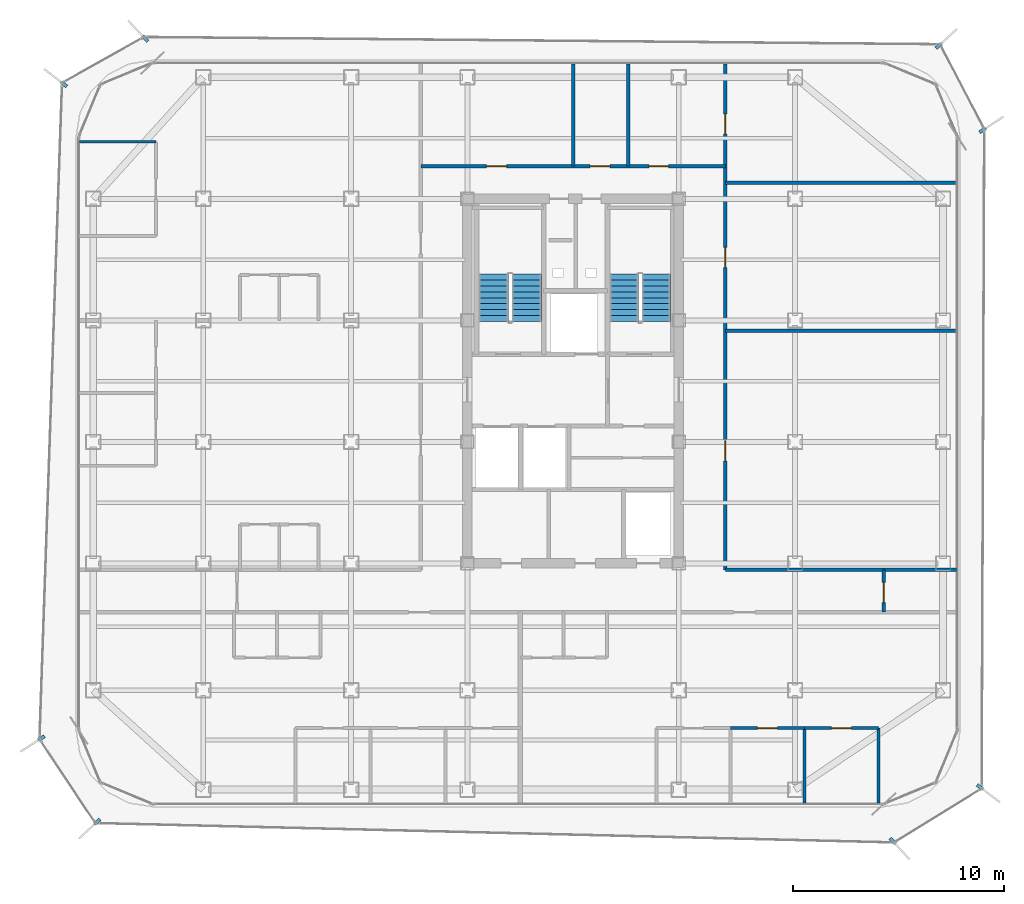
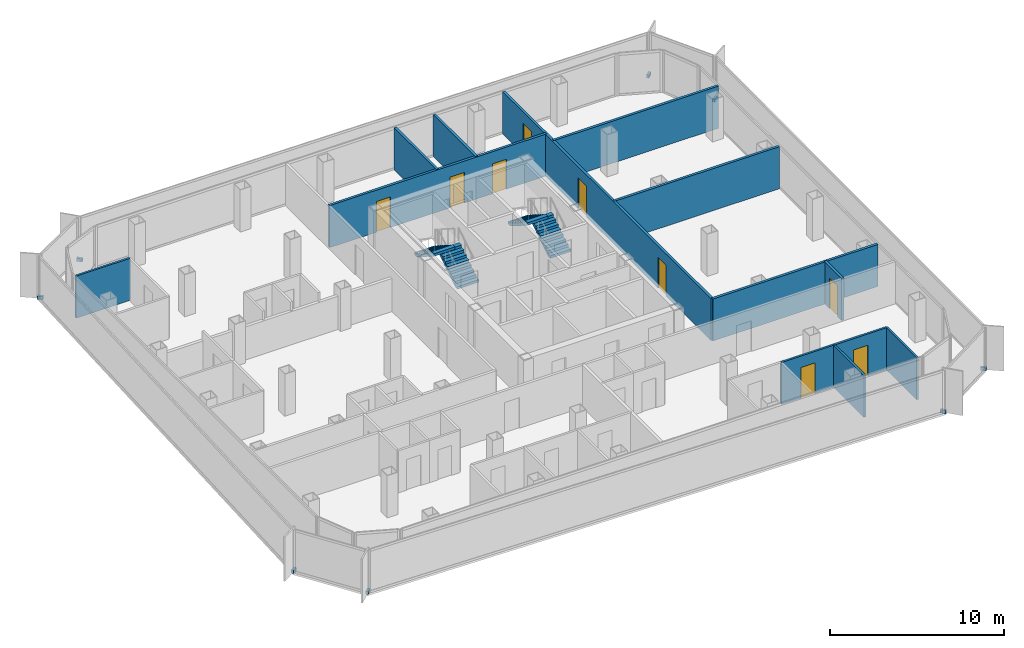
# One storey, part 12 of 15: 14 walls, 9 doors, 8 discrete accessories, 4 stair flights, 9 openings, 2 elements without a shape of their own.
"""IFC4 building model written with IfcOpenShell, lengths in metres."""

import ifcopenshell
import ifcopenshell.guid

model = None  # the IFC model being written
_history = None  # IfcOwnerHistory: only IFC2X3 demands one
_inside = {}  # id of a spatial element -> (the spatial element, [elements in it])
_under = {}  # id of a project, library or spatial element -> (it, [spatial elements below it])
_declared = {}  # id of a project -> (the project, [libraries it declares])
_typed = {}  # id of a type object -> (the type object, [elements of that type])
_made_of = {}  # id of a material, layer set ... -> (it, [elements and type objects made of it])


def new_model(schema):
    """Start an empty IFC model of exactly this schema.

    Asked for "IFC4X3", IfcOpenShell would pick the latest addendum, in which some entities
    have other attributes; the version numbers below select the first issue.
    IFC2X3 requires an IfcOwnerHistory on every rooted entity: one is made here for all.
    """
    global model, _history
    if schema == "IFC4X3":
        model = ifcopenshell.file(schema_version=(4, 3, 0, 0))
    else:
        model = ifcopenshell.file(schema=schema)
    _inside.clear()
    _under.clear()
    _declared.clear()
    _typed.clear()
    _made_of.clear()
    _history = None
    if model.schema == "IFC2X3":
        org = make("IfcOrganization", Name="unknown")
        user = make(
            "IfcPersonAndOrganization",
            ThePerson=make("IfcPerson", FamilyName="unknown"),
            TheOrganization=org,
        )
        app = make(
            "IfcApplication",
            ApplicationDeveloper=org,
            Version="unknown",
            ApplicationFullName="unknown",
            ApplicationIdentifier="unknown",
        )
        _history = make(
            "IfcOwnerHistory",
            OwningUser=user,
            OwningApplication=app,
            ChangeAction="ADDED",
            CreationDate=0,
        )
    return model


def make(cls, **values):
    """One entity of the class cls with the attributes given. An attribute that is None is left unset."""
    return model.create_entity(
        cls, **{name: value for name, value in values.items() if value is not None}
    )


def rooted(cls, **values):
    """An entity with a GlobalId (a new one), such as an element, a storey or a relation."""
    return make(cls, GlobalId=ifcopenshell.guid.new(), OwnerHistory=_history, **values)


def si_unit(unit_type, name, prefix=None):
    """IfcSIUnit, for example si_unit("LENGTHUNIT", "METRE", prefix="MILLI")."""
    return make("IfcSIUnit", UnitType=unit_type, Prefix=prefix, Name=name)


def assignment(units):
    """IfcUnitAssignment: the units of a project."""
    return None if units is None else make("IfcUnitAssignment", Units=units)


def point(xyz):
    """IfcCartesianPoint."""
    return None if xyz is None else make("IfcCartesianPoint", Coordinates=xyz)


def direction(xyz):
    """IfcDirection."""
    return None if xyz is None else make("IfcDirection", DirectionRatios=xyz)


def frame(location, z_axis=None, x_axis=None):
    """IfcAxis2Placement3D, a coordinate frame: its origin and axes. An axis left out is left unset."""
    return make(
        "IfcAxis2Placement3D",
        Location=point(location),
        Axis=direction(z_axis),
        RefDirection=direction(x_axis),
    )


def frame_2d(location, x_axis=None):
    """IfcAxis2Placement2D, a coordinate frame in the plane: its origin and x axis."""
    return make(
        "IfcAxis2Placement2D", Location=point(location), RefDirection=direction(x_axis)
    )


def origin():
    """The frame at (0, 0, 0) with its axes left unset."""
    return frame((0.0, 0.0, 0.0))


def origin_2d():
    """The frame at (0, 0) in the plane with its x axis left unset."""
    return frame_2d((0.0, 0.0))


def place(relative_to, where):
    """IfcLocalPlacement: puts the frame where relative to a parent placement (None: the world)."""
    return make(
        "IfcLocalPlacement", PlacementRelTo=relative_to, RelativePlacement=where
    )


def context(
    kind, dimensions, precision=None, world=None, true_north=None, identifier=None
):
    """IfcGeometricRepresentationContext, for example the 3D "Model" context."""
    return make(
        "IfcGeometricRepresentationContext",
        ContextIdentifier=identifier,
        ContextType=kind,
        CoordinateSpaceDimension=dimensions,
        Precision=precision,
        WorldCoordinateSystem=world,
        TrueNorth=true_north,
    )


def subcontext(parent, identifier, kind, view, scale=None):
    """IfcGeometricRepresentationSubContext, for example "Body" below "Model"."""
    return make(
        "IfcGeometricRepresentationSubContext",
        ContextIdentifier=identifier,
        ContextType=kind,
        ParentContext=parent,
        TargetScale=scale,
        TargetView=view,
    )


def project(units=None, contexts=None):
    """IfcProject with its units and contexts."""
    return rooted(
        "IfcProject",
        Name="project",
        RepresentationContexts=contexts,
        UnitsInContext=assignment(units),
    )


def spatial(cls, under=None, at=None, **own):
    """A site, building, storey or space (cls), placed at a placement, below another one or the project."""
    s = rooted(cls, ObjectPlacement=at, **own)
    if under is not None:
        _under.setdefault(under.id(), (under, []))[1].append(s)
    return s


def polyline(points):
    """IfcPolyline through the points."""
    return make("IfcPolyline", Points=[point(p) for p in points])


def profile(cls, at=None, kind="AREA", **sizes):
    """A parametric profile (cls). Its sizes go by their IFC names, for example OverallWidth=200.0."""
    return make(cls, ProfileType=kind, Position=at, **sizes)


def rectangle(**sizes):
    """IfcRectangleProfileDef."""
    return profile("IfcRectangleProfileDef", **sizes)


def outline(outer, holes=None, kind="AREA"):
    """IfcArbitraryClosedProfileDef: a profile drawn as a closed curve; with holes, ...WithVoids."""
    if holes is None:
        return make("IfcArbitraryClosedProfileDef", ProfileType=kind, OuterCurve=outer)
    return make(
        "IfcArbitraryProfileDefWithVoids",
        ProfileType=kind,
        OuterCurve=outer,
        InnerCurves=holes,
    )


def extrude(swept, where, along, depth):
    """IfcExtrudedAreaSolid: the profile swept, set in the frame where, extruded along a direction by depth."""
    return make(
        "IfcExtrudedAreaSolid",
        SweptArea=swept,
        Position=where,
        ExtrudedDirection=direction(along),
        Depth=depth,
    )


def shape(context_of_items, identifier, shape_type, items):
    """IfcShapeRepresentation: the items that make up one representation, for example the "Body"."""
    return make(
        "IfcShapeRepresentation",
        ContextOfItems=context_of_items,
        RepresentationIdentifier=identifier,
        RepresentationType=shape_type,
        Items=items,
    )


def source(mapping_origin, context_of_items, identifier, shape_type, items):
    """IfcRepresentationMap: a shape defined once, which mapped items show again and again."""
    return make(
        "IfcRepresentationMap",
        MappingOrigin=mapping_origin,
        MappedRepresentation=shape(context_of_items, identifier, shape_type, items),
    )


def transform(
    local_origin,
    x_axis=None,
    y_axis=None,
    z_axis=None,
    scale=None,
    scale2=None,
    scale3=None,
    uniform=True,
):
    """IfcCartesianTransformationOperator3D, or its non-uniform kind. x_axis, y_axis, z_axis: its Axis1, 2, 3."""
    if uniform:
        return make(
            "IfcCartesianTransformationOperator3D",
            Axis1=direction(x_axis),
            Axis2=direction(y_axis),
            LocalOrigin=point(local_origin),
            Scale=scale,
            Axis3=direction(z_axis),
        )
    return make(
        "IfcCartesianTransformationOperator3DnonUniform",
        Axis1=direction(x_axis),
        Axis2=direction(y_axis),
        LocalOrigin=point(local_origin),
        Scale=scale,
        Axis3=direction(z_axis),
        Scale2=scale2,
        Scale3=scale3,
    )


def mapped(mapping_source, mapping_target):
    """IfcMappedItem: shows the shape of a source again, moved by a transform."""
    return make(
        "IfcMappedItem", MappingSource=mapping_source, MappingTarget=mapping_target
    )


def material(Name=None, Category=None):
    """IfcMaterial."""
    return make("IfcMaterial", Name=Name, Category=Category)


def layer(
    of_material, thickness, ventilated=None, Name=None, Category=None, Priority=None
):
    """IfcMaterialLayer: one layer of a wall or slab, of a material (None: an air gap)."""
    return make(
        "IfcMaterialLayer",
        Material=of_material,
        LayerThickness=thickness,
        IsVentilated=ventilated,
        Name=Name,
        Category=Category,
        Priority=Priority,
    )


def layer_set(layers, Name=None):
    """IfcMaterialLayerSet."""
    return make("IfcMaterialLayerSet", MaterialLayers=layers, LayerSetName=Name)


def made_of(thing, what):
    """Note that an element or type object is made of a material, layer set ...; save() writes the relation."""
    if what is not None:
        _made_of.setdefault(what.id(), (what, []))[1].append(thing)
    return thing


def type_object(cls, material=None, **own):
    """A type object (cls), such as IfcWallType, which elements share."""
    return made_of(rooted(cls, **own), material)


def element(
    cls,
    number,
    at=None,
    inside=None,
    cuts=None,
    type_object=None,
    material=None,
    context=None,
    identifier="Body",
    shape_type=None,
    held_by="IfcProductDefinitionShape",
    body=None,
    shapes=None,
    **own,
):
    """One element of the class cls, such as IfcWall. Its Tag is "e" and its number.

    at: its placement. inside: the storey or other place that contains it. cuts: it is an
    opening in that element (IfcRelVoidsElement). A single representation is given by context,
    identifier, shape_type and body (its items); several are given by shapes. held_by: the class
    of the entity that holds the representations. save() writes the other relations.
    """
    e = rooted(cls, Tag="e%d" % number, ObjectPlacement=at, **own)
    if body is not None:
        shapes = [shape(context, identifier, shape_type, body)]
    if shapes is not None:
        e.Representation = make(held_by, Representations=shapes)
    if inside is not None:
        _inside.setdefault(inside.id(), (inside, []))[1].append(e)
    if cuts is not None:
        rooted(
            "IfcRelVoidsElement", RelatingBuildingElement=cuts, RelatedOpeningElement=e
        )
    if type_object is not None:
        _typed.setdefault(type_object.id(), (type_object, []))[1].append(e)
    return made_of(e, material)


def fill(opening, filler):
    """IfcRelFillsElement: the door or window that sits in an opening."""
    return rooted(
        "IfcRelFillsElement",
        RelatingOpeningElement=opening,
        RelatedBuildingElement=filler,
    )


def aggregate(whole, parts):
    """IfcRelAggregates: a whole, such as a stair, and the parts it consists of."""
    return rooted("IfcRelAggregates", RelatingObject=whole, RelatedObjects=parts)


def save(model, path):
    """Write the relations noted so far, then the file.

    IfcRelAggregates (storeys below a building ...), IfcRelContainedInSpatialStructure (elements
    in a storey), IfcRelDefinesByType, IfcRelAssociatesMaterial and IfcRelDeclares: one each for
    every whole, place, type object, material and project.
    """
    for whole, parts in _under.values():
        aggregate(whole, parts)
    for where, things in _inside.values():
        rooted(
            "IfcRelContainedInSpatialStructure",
            RelatedElements=things,
            RelatingStructure=where,
        )
    for kind, things in _typed.values():
        rooted("IfcRelDefinesByType", RelatedObjects=things, RelatingType=kind)
    for what, things in _made_of.values():
        rooted("IfcRelAssociatesMaterial", RelatedObjects=things, RelatingMaterial=what)
    for by, libraries in _declared.values():
        rooted("IfcRelDeclares", RelatingContext=by, RelatedDefinitions=libraries)
    model.write(path)


model = new_model("IFC4")

# Units and contexts
model_context = context("Model", 3, precision=1e-05, world=origin(), true_north=direction((0.0, 1.0)))
body_context = subcontext(model_context, "Body", "Model", "MODEL_VIEW")
ifc_project = project(units=[si_unit("LENGTHUNIT", "METRE"), si_unit("AREAUNIT", "SQUARE_METRE"), si_unit("VOLUMEUNIT", "CUBIC_METRE"), si_unit("PLANEANGLEUNIT", "RADIAN"), si_unit("MASSUNIT", "GRAM", prefix="KILO")], contexts=[model_context])

# Site, building, storey
site_placement = place(None, origin())
site = spatial("IfcSite", under=ifc_project, at=site_placement, CompositionType="ELEMENT")
building_placement = place(site_placement, origin())
building = spatial("IfcBuilding", under=site, at=building_placement, Name="Kolveth Station Tower", CompositionType="ELEMENT")
storey_placement = place(building_placement, frame((0.0, 0.0, 181.699951171875)))
storey = spatial("IfcBuildingStorey", under=building, at=storey_placement, Name="L51", CompositionType="ELEMENT", Elevation=181.699951171875)

# Wall
ifc_material_1 = material(Name="Moisture-resistant gypsum partition")
ifc_layer_1 = layer(ifc_material_1, 0.135009765625)
ifc_layer_set_1 = layer_set([ifc_layer_1], Name="Moisture-resistant gypsum partition")
wall_type_1 = type_object("IfcWallType", Name="Wall_IW-135", PredefinedType="PARTITIONING", material=ifc_layer_set_1)
wall_1_placement = place(storey_placement, frame((37.949951171875, 0.159912109375, 0.0), z_axis=(0.0, 0.0, 1.0), x_axis=(0.0, 1.0, 0.0)))
element("IfcWall", 1, at=wall_1_placement, inside=storey, type_object=wall_type_1, Name="L51 Partition Wall WL-L51-A2-BDVE", PredefinedType="PARTITIONING", context=body_context, shape_type="SweptSolid", body=[
    extrude(rectangle(XDim=3.550048828125, YDim=0.135009765625, at=frame_2d((1.77490234375, 0.0))), origin(), (0.0, 0.0, 1.0), 2.949951171875),
])

# Wall, opening, door
wall_2_placement = place(storey_placement, frame((30.944091796875, 3.7099609375, 0.0), z_axis=(0.0, 0.0, 1.0), x_axis=(1.0, 0.0, 0.0)))
wall_2 = element("IfcWall", 2, at=wall_2_placement, inside=storey, type_object=wall_type_1, Name="L51 Partition Wall WL-L51-A2-BDH2", PredefinedType="PARTITIONING", context=body_context, shape_type="SweptSolid", body=[
    extrude(rectangle(XDim=3.5029296875, YDim=0.135009765625, at=frame_2d((1.75146484375, 0.0))), origin(), (0.0, 0.0, 1.0), 2.949951171875),
])
opening_1_placement = place(wall_2_placement, frame((1.27099609375, 0.0, 0.0)))
opening_1 = element("IfcOpeningElement", 3, at=opening_1_placement, cuts=wall_2, Name="Opening ID1", PredefinedType="OPENING", context=body_context, shape_type="SweptSolid", body=[
    extrude(rectangle(XDim=0.949951171875, YDim=2.14990234375, at=frame_2d((0.47509765625, 1.074951171875))), frame((0.0, 0.077392578125, 0.0), z_axis=(0.0, -1.0, 0.0), x_axis=(1.0, 0.0, 0.0)), (0.0, 0.0, 1.0), 0.155029296875),
])
ifc_material_2 = material(Name="Acoustic hardwood leaf and aluminium frame", Category="wood")
door_type_1 = type_object("IfcDoorType", Name="Door_ID1", OperationType="NOTDEFINED", PredefinedType="DOOR", material=ifc_material_2)
door_1_placement = place(opening_1_placement, frame((0.949951171875, 0.0, 0.0), z_axis=(0.0, 0.0, 1.0), x_axis=(-1.0, 0.0, 0.0)))
door_1 = element("IfcDoor", 4, at=door_1_placement, inside=storey, type_object=door_type_1, Name="Penthouse Flat L51-A2 Bedroom 2 Door", OperationType="SINGLE_SWING_LEFT", OverallHeight=2.14990234375, OverallWidth=0.949951171875, PredefinedType="DOOR", context=body_context, shape_type="SweptSolid", body=[
    extrude(rectangle(XDim=0.949951171875, YDim=2.14990234375, at=frame_2d((0.47509765625, 1.074951171875))), frame((0.0, 0.02490234375, 0.0), z_axis=(0.0, -1.0, 0.0), x_axis=(1.0, 0.0, 0.0)), (0.0, 0.0, 1.0), 0.050048828125),
])
fill(opening_1, door_1)

wall_3_placement = place(storey_placement, frame((34.447021484375, 3.7099609375, 0.0), z_axis=(0.0, 0.0, 1.0), x_axis=(1.0, 0.0, 0.0)))
wall_3 = element("IfcWall", 5, at=wall_3_placement, inside=storey, type_object=wall_type_1, Name="L51 Partition Wall WL-L51-A2-BDH3", PredefinedType="PARTITIONING", context=body_context, shape_type="SweptSolid", body=[
    extrude(rectangle(XDim=3.5029296875, YDim=0.135009765625, at=frame_2d((1.75146484375, 0.0))), origin(), (0.0, 0.0, 1.0), 2.949951171875),
])
opening_2_placement = place(wall_3_placement, frame((1.27099609375, 0.0, 0.0)))
opening_2 = element("IfcOpeningElement", 6, at=opening_2_placement, cuts=wall_3, Name="Opening ID1", PredefinedType="OPENING", context=body_context, shape_type="SweptSolid", body=[
    extrude(rectangle(XDim=0.949951171875, YDim=2.14990234375, at=frame_2d((0.47509765625, 1.074951171875))), frame((0.0, 0.077392578125, 0.0), z_axis=(0.0, -1.0, 0.0), x_axis=(1.0, 0.0, 0.0)), (0.0, 0.0, 1.0), 0.155029296875),
])
door_2_placement = place(opening_2_placement, frame((0.949951171875, 0.0, 0.0), z_axis=(0.0, 0.0, 1.0), x_axis=(-1.0, 0.0, 0.0)))
door_2 = element("IfcDoor", 7, at=door_2_placement, inside=storey, type_object=door_type_1, Name="Penthouse Flat L51-A2 Bedroom 3 Door", OperationType="SINGLE_SWING_RIGHT", OverallHeight=2.14990234375, OverallWidth=0.949951171875, PredefinedType="DOOR", context=body_context, shape_type="SweptSolid", body=[
    extrude(rectangle(XDim=0.949951171875, YDim=2.14990234375, at=frame_2d((0.47509765625, 1.074951171875))), frame((0.0, 0.02490234375, 0.0), z_axis=(0.0, -1.0, 0.0), x_axis=(1.0, 0.0, 0.0)), (0.0, 0.0, 1.0), 0.050048828125),
])
fill(opening_2, door_2)

# Walls
wall_4_placement = place(storey_placement, frame((34.447021484375, 0.159912109375, 0.0), z_axis=(0.0, 0.0, 1.0), x_axis=(0.0, 1.0, 0.0)))
element("IfcWall", 8, at=wall_4_placement, inside=storey, type_object=wall_type_1, Name="L51 Partition Wall WL-L51-A2-BDV2", PredefinedType="PARTITIONING", context=body_context, shape_type="SweptSolid", body=[
    extrude(rectangle(XDim=3.550048828125, YDim=0.135009765625, at=frame_2d((1.77490234375, 0.0))), origin(), (0.0, 0.0, 1.0), 2.949951171875),
])
wall_5_placement = place(storey_placement, frame((0.159912109375, 31.449951171875, 0.0), z_axis=(0.0, 0.0, 1.0), x_axis=(1.0, 0.0, 0.0)))
element("IfcWall", 9, at=wall_5_placement, inside=storey, type_object=wall_type_1, Name="L51 Partition Wall WL-L51-W2-BDHE", PredefinedType="PARTITIONING", context=body_context, shape_type="SweptSolid", body=[
    extrude(rectangle(XDim=3.60009765625, YDim=0.135009765625, at=frame_2d((1.800048828125, 0.0))), origin(), (0.0, 0.0, 1.0), 2.949951171875),
])
ifc_material_3 = material(Name="Acoustic double-stud gypsum partition")
ifc_layer_2 = layer(ifc_material_3, 0.1650390625)
ifc_layer_set_2 = layer_set([ifc_layer_2], Name="Acoustic double-stud gypsum partition")
wall_type_2 = type_object("IfcWallType", Name="Wall_IW-165", PredefinedType="PARTITIONING", material=ifc_layer_set_2)
wall_6_placement = place(storey_placement, frame((30.699951171875, 11.199951171875, 0.0), z_axis=(0.0, 0.0, 1.0), x_axis=(1.0, 0.0, 0.0)))
element("IfcWall", 10, at=wall_6_placement, inside=storey, type_object=wall_type_2, Name="L51 Partition Wall WL-L51-RSET", PredefinedType="PARTITIONING", context=body_context, shape_type="SweptSolid", body=[
    extrude(rectangle(XDim=7.5, YDim=0.1650390625, at=frame_2d((3.75, 0.0))), origin(), (0.0, 0.0, 1.0), 2.949951171875),
])

# Wall, opening, door
wall_7_placement = place(storey_placement, frame((38.199951171875, 9.199951171875, 0.0), z_axis=(0.0, 0.0, 1.0), x_axis=(0.0, 1.0, 0.0)))
wall_7 = element("IfcWall", 11, at=wall_7_placement, inside=storey, type_object=wall_type_2, Name="L51 Partition Wall WL-L51-RSEE", PredefinedType="PARTITIONING", context=body_context, shape_type="SweptSolid", body=[
    extrude(rectangle(XDim=2.0, YDim=0.1650390625, at=frame_2d((1.0, 0.0))), origin(), (0.0, 0.0, 1.0), 2.949951171875),
])
opening_3_placement = place(wall_7_placement, frame((0.449951171875, 0.0, 0.0)))
opening_3 = element("IfcOpeningElement", 12, at=opening_3_placement, cuts=wall_7, Name="Opening ID1", PredefinedType="OPENING", context=body_context, shape_type="SweptSolid", body=[
    extrude(rectangle(XDim=0.949951171875, YDim=2.14990234375, at=frame_2d((0.47509765625, 1.074951171875))), frame((0.0, 0.092529296875, 0.0), z_axis=(0.0, -1.0, 0.0), x_axis=(1.0, 0.0, 0.0)), (0.0, 0.0, 1.0), 0.18505859375),
])
door_3_placement = place(opening_3_placement, origin())
door_3 = element("IfcDoor", 13, at=door_3_placement, inside=storey, type_object=door_type_1, Name="L51 Hobby Study Door", OperationType="SINGLE_SWING_LEFT", OverallHeight=2.14990234375, OverallWidth=0.949951171875, PredefinedType="DOOR", context=body_context, shape_type="SweptSolid", body=[
    extrude(rectangle(XDim=0.949951171875, YDim=2.14990234375, at=frame_2d((0.47509765625, 1.074951171875))), frame((0.0, 0.02490234375, 0.0), z_axis=(0.0, -1.0, 0.0), x_axis=(1.0, 0.0, 0.0)), (0.0, 0.0, 1.0), 0.050048828125),
])
fill(opening_3, door_3)

# Wall, openings, doors
wall_8_placement = place(storey_placement, frame((16.300048828125, 30.300048828125, 0.0), z_axis=(0.0, 0.0, 1.0), x_axis=(1.0, 0.0, 0.0)))
wall_8 = element("IfcWall", 14, at=wall_8_placement, inside=storey, type_object=wall_type_2, Name="L51 Partition Wall WL-L51-RN", PredefinedType="PARTITIONING", context=body_context, shape_type="SweptSolid", body=[
    extrude(rectangle(XDim=14.39990234375, YDim=0.1650390625, at=frame_2d((7.199951171875, 0.0))), origin(), (0.0, 0.0, 1.0), 2.949951171875),
])
opening_4_placement = place(wall_8_placement, frame((3.10009765625, 0.0, 0.0)))
opening_4 = element("IfcOpeningElement", 15, at=opening_4_placement, cuts=wall_8, Name="Opening ID1", PredefinedType="OPENING", context=body_context, shape_type="SweptSolid", body=[
    extrude(rectangle(XDim=0.949951171875, YDim=2.14990234375, at=frame_2d((0.47509765625, 1.074951171875))), frame((0.0, 0.092529296875, 0.0), z_axis=(0.0, -1.0, 0.0), x_axis=(1.0, 0.0, 0.0)), (0.0, 0.0, 1.0), 0.18505859375),
])
opening_5_placement = place(wall_8_placement, frame((8.0, 0.0, 0.0)))
opening_5 = element("IfcOpeningElement", 16, at=opening_5_placement, cuts=wall_8, Name="Opening ID1", PredefinedType="OPENING", context=body_context, shape_type="SweptSolid", body=[
    extrude(rectangle(XDim=0.949951171875, YDim=2.14990234375, at=frame_2d((0.47509765625, 1.074951171875))), frame((0.0, 0.092529296875, 0.0), z_axis=(0.0, -1.0, 0.0), x_axis=(1.0, 0.0, 0.0)), (0.0, 0.0, 1.0), 0.18505859375),
])
opening_6_placement = place(wall_8_placement, frame((10.800048828125, 0.0, 0.0)))
opening_6 = element("IfcOpeningElement", 17, at=opening_6_placement, cuts=wall_8, Name="Opening ID2", PredefinedType="OPENING", context=body_context, shape_type="SweptSolid", body=[
    extrude(rectangle(XDim=0.919921875, YDim=2.10009765625, at=frame_2d((0.4599609375, 1.050048828125))), frame((0.0, 0.092529296875, 0.0), z_axis=(0.0, -1.0, 0.0), x_axis=(1.0, 0.0, 0.0)), (0.0, 0.0, 1.0), 0.18505859375),
])
door_4_placement = place(opening_4_placement, origin())
door_4 = element("IfcDoor", 18, at=door_4_placement, inside=storey, type_object=door_type_1, Name="L51 Residents' Sky Lounge Door", OperationType="SINGLE_SWING_RIGHT", OverallHeight=2.14990234375, OverallWidth=0.949951171875, PredefinedType="DOOR", context=body_context, shape_type="SweptSolid", body=[
    extrude(rectangle(XDim=0.949951171875, YDim=2.14990234375, at=frame_2d((0.47509765625, 1.074951171875))), frame((0.0, 0.02490234375, 0.0), z_axis=(0.0, -1.0, 0.0), x_axis=(1.0, 0.0, 0.0)), (0.0, 0.0, 1.0), 0.050048828125),
])
fill(opening_4, door_4)
door_5_placement = place(opening_5_placement, origin())
door_5 = element("IfcDoor", 19, at=door_5_placement, inside=storey, type_object=door_type_1, Name="L51 Residents' Committee Room Door", OperationType="SINGLE_SWING_LEFT", OverallHeight=2.14990234375, OverallWidth=0.949951171875, PredefinedType="DOOR", context=body_context, shape_type="SweptSolid", body=[
    extrude(rectangle(XDim=0.949951171875, YDim=2.14990234375, at=frame_2d((0.47509765625, 1.074951171875))), frame((0.0, 0.02490234375, 0.0), z_axis=(0.0, -1.0, 0.0), x_axis=(1.0, 0.0, 0.0)), (0.0, 0.0, 1.0), 0.050048828125),
])
fill(opening_5, door_5)
ifc_material_4 = material(Name="Moisture-resistant hardwood leaf", Category="wood")
door_type_2 = type_object("IfcDoorType", Name="Door_ID2", OperationType="NOTDEFINED", PredefinedType="DOOR", material=ifc_material_4)
door_6_placement = place(opening_6_placement, origin())
door_6 = element("IfcDoor", 20, at=door_6_placement, inside=storey, type_object=door_type_2, Name="L51 Accessible Residents' WC Door", OperationType="SINGLE_SWING_LEFT", OverallHeight=2.10009765625, OverallWidth=0.919921875, PredefinedType="DOOR", context=body_context, shape_type="SweptSolid", body=[
    extrude(rectangle(XDim=0.919921875, YDim=2.10009765625, at=frame_2d((0.4599609375, 1.050048828125))), frame((0.0, 0.02490234375, 0.0), z_axis=(0.0, -1.0, 0.0), x_axis=(1.0, 0.0, 0.0)), (0.0, 0.0, 1.0), 0.050048828125),
])
fill(opening_6, door_6)

wall_9_placement = place(storey_placement, frame((30.699951171875, 11.199951171875, 0.0), z_axis=(0.0, 0.0, 1.0), x_axis=(0.0, 1.0, 0.0)))
wall_9 = element("IfcWall", 21, at=wall_9_placement, inside=storey, type_object=wall_type_2, Name="L51 Partition Wall WL-L51-RE", PredefinedType="PARTITIONING", context=body_context, shape_type="SweptSolid", body=[
    extrude(rectangle(XDim=23.93994140625, YDim=0.1650390625, at=frame_2d((11.969970703125, 0.0))), origin(), (0.0, 0.0, 1.0), 2.949951171875),
])
opening_7_placement = place(wall_9_placement, frame((5.14990234375, 0.0, 0.0)))
opening_7 = element("IfcOpeningElement", 22, at=opening_7_placement, cuts=wall_9, Name="Opening ID1", PredefinedType="OPENING", context=body_context, shape_type="SweptSolid", body=[
    extrude(rectangle(XDim=0.949951171875, YDim=2.14990234375, at=frame_2d((0.47509765625, 1.074951171875))), frame((0.0, 0.092529296875, 0.0), z_axis=(0.0, -1.0, 0.0), x_axis=(1.0, 0.0, 0.0)), (0.0, 0.0, 1.0), 0.18505859375),
])
opening_8_placement = place(wall_9_placement, frame((14.300048828125, 0.0, 0.0)))
opening_8 = element("IfcOpeningElement", 23, at=opening_8_placement, cuts=wall_9, Name="Opening ID1", PredefinedType="OPENING", context=body_context, shape_type="SweptSolid", body=[
    extrude(rectangle(XDim=0.949951171875, YDim=2.14990234375, at=frame_2d((0.47509765625, 1.074951171875))), frame((0.0, 0.092529296875, 0.0), z_axis=(0.0, -1.0, 0.0), x_axis=(1.0, 0.0, 0.0)), (0.0, 0.0, 1.0), 0.18505859375),
])
opening_9_placement = place(wall_9_placement, frame((20.6201171875, 0.0, 0.0)))
opening_9 = element("IfcOpeningElement", 24, at=opening_9_placement, cuts=wall_9, Name="Opening ID1", PredefinedType="OPENING", context=body_context, shape_type="SweptSolid", body=[
    extrude(rectangle(XDim=0.949951171875, YDim=2.14990234375, at=frame_2d((0.47509765625, 1.074951171875))), frame((0.0, 0.092529296875, 0.0), z_axis=(0.0, -1.0, 0.0), x_axis=(1.0, 0.0, 0.0)), (0.0, 0.0, 1.0), 0.18505859375),
])
door_7_placement = place(opening_7_placement, origin())
door_7 = element("IfcDoor", 25, at=door_7_placement, inside=storey, type_object=door_type_1, Name="L51 Sky Dining Salon East Door", OperationType="SINGLE_SWING_LEFT", OverallHeight=2.14990234375, OverallWidth=0.949951171875, PredefinedType="DOOR", context=body_context, shape_type="SweptSolid", body=[
    extrude(rectangle(XDim=0.949951171875, YDim=2.14990234375, at=frame_2d((0.47509765625, 1.074951171875))), frame((0.0, 0.02490234375, 0.0), z_axis=(0.0, -1.0, 0.0), x_axis=(1.0, 0.0, 0.0)), (0.0, 0.0, 1.0), 0.050048828125),
])
fill(opening_7, door_7)
door_8_placement = place(opening_8_placement, origin())
door_8 = element("IfcDoor", 26, at=door_8_placement, inside=storey, type_object=door_type_1, Name="L51 Private Music Room Door", OperationType="SINGLE_SWING_RIGHT", OverallHeight=2.14990234375, OverallWidth=0.949951171875, PredefinedType="DOOR", context=body_context, shape_type="SweptSolid", body=[
    extrude(rectangle(XDim=0.949951171875, YDim=2.14990234375, at=frame_2d((0.47509765625, 1.074951171875))), frame((0.0, 0.02490234375, 0.0), z_axis=(0.0, -1.0, 0.0), x_axis=(1.0, 0.0, 0.0)), (0.0, 0.0, 1.0), 0.050048828125),
])
fill(opening_8, door_8)
door_9_placement = place(opening_9_placement, origin())
door_9 = element("IfcDoor", 27, at=door_9_placement, inside=storey, type_object=door_type_1, Name="L51 Catering Pantry Door", OperationType="SINGLE_SWING_LEFT", OverallHeight=2.14990234375, OverallWidth=0.949951171875, PredefinedType="DOOR", context=body_context, shape_type="SweptSolid", body=[
    extrude(rectangle(XDim=0.949951171875, YDim=2.14990234375, at=frame_2d((0.47509765625, 1.074951171875))), frame((0.0, 0.02490234375, 0.0), z_axis=(0.0, -1.0, 0.0), x_axis=(1.0, 0.0, 0.0)), (0.0, 0.0, 1.0), 0.050048828125),
])
fill(opening_9, door_9)

# Walls
wall_10_placement = place(storey_placement, frame((38.199951171875, 11.199951171875, 0.0), z_axis=(0.0, 0.0, 1.0), x_axis=(1.0, 0.0, 0.0)))
element("IfcWall", 28, at=wall_10_placement, inside=storey, type_object=wall_type_2, Name="L51 Partition Wall WL-L51-ESTN", PredefinedType="PARTITIONING", context=body_context, shape_type="SweptSolid", body=[
    extrude(rectangle(XDim=3.43994140625, YDim=0.1650390625, at=frame_2d((1.719970703125, 0.0))), origin(), (0.0, 0.0, 1.0), 2.949951171875),
])
for number, where, z_axis, x_axis, name in (
    (29, (30.699951171875, 22.5, 0.0), (0.0, 0.0, 1.0), (1.0, 0.0, 0.0), "L51 Partition Wall WL-L51-REA-P1"),
    (30, (30.699951171875, 29.5, 0.0), (0.0, 0.0, 1.0), (1.0, 0.0, 0.0), "L51 Partition Wall WL-L51-REA-P2"),
):
    element("IfcWall", number, at=place(storey_placement, frame(where, z_axis=z_axis, x_axis=x_axis)), inside=storey, type_object=wall_type_2, Name=name, PredefinedType="PARTITIONING", context=body_context, shape_type="SweptSolid", body=[
        extrude(rectangle(XDim=10.93994140625, YDim=0.1650390625, at=frame_2d((5.469970703125, 0.0))), origin(), (0.0, 0.0, 1.0), 2.949951171875),
    ])
for number, where, z_axis, x_axis, name in (
    (31, (23.5, 30.300048828125, 0.0), (0.0, 0.0, 1.0), (0.0, 1.0, 0.0), "L51 Partition Wall WL-L51-RN-P1"),
    (32, (26.10009765625, 30.300048828125, 0.0), (0.0, 0.0, 1.0), (0.0, 1.0, 0.0), "L51 Partition Wall WL-L51-RN-P2"),
):
    element("IfcWall", number, at=place(storey_placement, frame(where, z_axis=z_axis, x_axis=x_axis)), inside=storey, type_object=wall_type_2, Name=name, PredefinedType="PARTITIONING", context=body_context, shape_type="SweptSolid", body=[
        extrude(rectangle(XDim=4.83984375, YDim=0.1650390625, at=frame_2d((2.419921875, 0.0))), origin(), (0.0, 0.0, 1.0), 2.949951171875),
    ])

# Stair, stair flights
ifc_material_5 = material(Name="Concrete C40/50", Category="concrete")
stair_type_1 = type_object("IfcStairType", Name="Stair_ST1", PredefinedType="HALF_TURN_STAIR", material=ifc_material_5)
stair_1_placement = place(storey_placement, origin())
stair_1 = element("IfcStair", 33, at=stair_1_placement, inside=storey, type_object=stair_type_1, Name="L51 Tower Exit Stair ST1", PredefinedType="HALF_TURN_STAIR")
ifc_layer_3 = layer(ifc_material_5, 0.179931640625)
ifc_layer_set_3 = layer_set([ifc_layer_3], Name="Concrete C40/50")
stair_flight_type_1 = type_object("IfcStairFlightType", Name="Flight_ST1", PredefinedType="STRAIGHT", material=ifc_layer_set_3)
stair_flight_1_placement = place(storey_placement, frame((21.300048828125, 22.949951171875, 0.0), z_axis=(0.0, 0.0, 1.0), x_axis=(0.0, 1.0, 0.0)))
stair_flight_1 = element("IfcStairFlight", 34, at=stair_flight_1_placement, type_object=stair_flight_type_1, Name="ST1 flight 1", NumberOfRisers=9, NumberOfTreads=8, PredefinedType="STRAIGHT", RiserHeight=0.177777778, TreadLength=0.28, context=body_context, shape_type="SweptSolid", body=[
    extrude(outline(polyline([(0.0, 0.0), (0.0, 0.177734375), (0.280029296875, 0.177734375), (0.280029296875, 0.35546875), (0.56005859375, 0.35546875), (0.56005859375, 0.533447265625), (0.840087890625, 0.533447265625), (0.840087890625, 0.711181640625), (1.1201171875, 0.711181640625), (1.1201171875, 0.888916015625), (1.39990234375, 0.888916015625), (1.39990234375, 1.066650390625), (1.679931640625, 1.066650390625), (1.679931640625, 1.244384765625), (1.9599609375, 1.244384765625), (1.9599609375, 1.422119140625), (2.239990234375, 1.422119140625), (2.239990234375, 1.60009765625), (2.239990234375, 1.24462890625), (0.27978515625, 0.0), (0.0, 0.0)])), frame((0.0, 0.699951171875, 0.0), z_axis=(0.0, -1.0, 0.0), x_axis=(1.0, 0.0, 0.0)), (0.0, 0.0, 1.0), 1.39990234375),
])
stair_flight_2_placement = place(storey_placement, frame((19.739990234375, 25.18994140625, 1.60009765625), z_axis=(0.0, 0.0, 1.0), x_axis=(0.0, -1.0, 0.0)))
stair_flight_2 = element("IfcStairFlight", 35, at=stair_flight_2_placement, type_object=stair_flight_type_1, Name="ST1 flight 2", NumberOfRisers=9, NumberOfTreads=8, PredefinedType="STRAIGHT", RiserHeight=0.177777778, TreadLength=0.28, context=body_context, shape_type="SweptSolid", body=[
    extrude(outline(polyline([(0.0, 0.0), (0.0, 0.177734375), (0.280029296875, 0.177734375), (0.280029296875, 0.35546875), (0.56005859375, 0.35546875), (0.56005859375, 0.533447265625), (0.840087890625, 0.533447265625), (0.840087890625, 0.711181640625), (1.1201171875, 0.711181640625), (1.1201171875, 0.888916015625), (1.39990234375, 0.888916015625), (1.39990234375, 1.066650390625), (1.679931640625, 1.066650390625), (1.679931640625, 1.244384765625), (1.9599609375, 1.244384765625), (1.9599609375, 1.422119140625), (2.239990234375, 1.422119140625), (2.239990234375, 1.60009765625), (2.239990234375, 1.24462890625), (0.27978515625, 0.0), (0.0, 0.0)])), frame((0.0, 0.699951171875, 0.0), z_axis=(0.0, -1.0, 0.0), x_axis=(1.0, 0.0, 0.0)), (0.0, 0.0, 1.0), 1.39990234375),
])
aggregate(stair_1, [stair_flight_1, stair_flight_2])

stair_type_2 = type_object("IfcStairType", Name="Stair_ST2", PredefinedType="HALF_TURN_STAIR", material=ifc_material_5)
stair_2_placement = place(storey_placement, origin())
stair_2 = element("IfcStair", 36, at=stair_2_placement, inside=storey, type_object=stair_type_2, Name="L51 Tower Exit Stair ST2", PredefinedType="HALF_TURN_STAIR")
ifc_layer_4 = layer(ifc_material_5, 0.179931640625)
ifc_layer_set_4 = layer_set([ifc_layer_4], Name="Concrete C40/50")
stair_flight_type_2 = type_object("IfcStairFlightType", Name="Flight_ST2", PredefinedType="STRAIGHT", material=ifc_layer_set_4)
stair_flight_3_placement = place(storey_placement, frame((27.425048828125, 22.949951171875, 0.0), z_axis=(0.0, 0.0, 1.0), x_axis=(0.0, 1.0, 0.0)))
stair_flight_3 = element("IfcStairFlight", 37, at=stair_flight_3_placement, type_object=stair_flight_type_2, Name="ST2 flight 1", NumberOfRisers=9, NumberOfTreads=8, PredefinedType="STRAIGHT", RiserHeight=0.177777778, TreadLength=0.28, context=body_context, shape_type="SweptSolid", body=[
    extrude(outline(polyline([(0.0, 0.0), (0.0, 0.177734375), (0.280029296875, 0.177734375), (0.280029296875, 0.35546875), (0.56005859375, 0.35546875), (0.56005859375, 0.533447265625), (0.840087890625, 0.533447265625), (0.840087890625, 0.711181640625), (1.1201171875, 0.711181640625), (1.1201171875, 0.888916015625), (1.39990234375, 0.888916015625), (1.39990234375, 1.066650390625), (1.679931640625, 1.066650390625), (1.679931640625, 1.244384765625), (1.9599609375, 1.244384765625), (1.9599609375, 1.422119140625), (2.239990234375, 1.422119140625), (2.239990234375, 1.60009765625), (2.239990234375, 1.24462890625), (0.27978515625, 0.0), (0.0, 0.0)])), frame((0.0, 0.675048828125, 0.0), z_axis=(0.0, -1.0, 0.0), x_axis=(1.0, 0.0, 0.0)), (0.0, 0.0, 1.0), 1.35009765625),
])
stair_flight_4_placement = place(storey_placement, frame((25.9150390625, 25.18994140625, 1.60009765625), z_axis=(0.0, 0.0, 1.0), x_axis=(0.0, -1.0, 0.0)))
stair_flight_4 = element("IfcStairFlight", 38, at=stair_flight_4_placement, type_object=stair_flight_type_2, Name="ST2 flight 2", NumberOfRisers=9, NumberOfTreads=8, PredefinedType="STRAIGHT", RiserHeight=0.177777778, TreadLength=0.28, context=body_context, shape_type="SweptSolid", body=[
    extrude(outline(polyline([(0.0, 0.0), (0.0, 0.177734375), (0.280029296875, 0.177734375), (0.280029296875, 0.35546875), (0.56005859375, 0.35546875), (0.56005859375, 0.533447265625), (0.840087890625, 0.533447265625), (0.840087890625, 0.711181640625), (1.1201171875, 0.711181640625), (1.1201171875, 0.888916015625), (1.39990234375, 0.888916015625), (1.39990234375, 1.066650390625), (1.679931640625, 1.066650390625), (1.679931640625, 1.244384765625), (1.9599609375, 1.244384765625), (1.9599609375, 1.422119140625), (2.239990234375, 1.422119140625), (2.239990234375, 1.60009765625), (2.239990234375, 1.24462890625), (0.27978515625, 0.0), (0.0, 0.0)])), frame((0.0, 0.675048828125, 0.0), z_axis=(0.0, -1.0, 0.0), x_axis=(1.0, 0.0, 0.0)), (0.0, 0.0, 1.0), 1.35009765625),
])
aggregate(stair_2, [stair_flight_3, stair_flight_4])

# Discrete accessories
ifc_material_6 = material(Name="Steel S355", Category="steel")
discrete_accessory_type = type_object("IfcDiscreteAccessoryType", Name="Bracket_BK1", PredefinedType="BRACKET", material=ifc_material_6)
shared_shape = source(origin(), body_context, "Body", "SweptSolid", [
    extrude(rectangle(XDim=0.35009765625, YDim=0.159912109375, at=origin_2d()), origin(), (0.0, 0.0, 1.0), 0.219970703125),
])
for number, where, z_axis, x_axis, name in (
    (39, (38.617919921875, -1.631103515625, -0.06005859375), (0.0, 0.0, 1.0), (0.676618982095, -0.736333316555, 0.0), "L51 Double-Skin Radial Tie Bracket 1"),
    (40, (42.756103515625, 0.9169921875, -0.06005859375), (0.0, 0.0, 1.0), (0.793990398648, -0.607930297695, 0.0), "L51 Double-Skin Radial Tie Bracket 2"),
    (41, (42.8759765625, 31.993896484375, -0.06005859375), (0.0, 0.0, 1.0), (0.837432663483, 0.54654051463, 0.0), "L51 Double-Skin Radial Tie Bracket 3"),
    (42, (40.7958984375, 35.988037109375, -0.06005859375), (0.0, 0.0, 1.0), (0.735269577966, 0.677774776543, 0.0), "L51 Double-Skin Radial Tie Bracket 4"),
    (43, (3.258056640625, 36.325927734375, -0.06005859375), (0.0, 0.0, 1.0), (-0.686706983029, 0.726934329537, 0.0), "L51 Double-Skin Radial Tie Bracket 5"),
    (44, (-0.590087890625, 34.172119140625, -0.06005859375), (0.0, 0.0, 1.0), (-0.792821793707, 0.609453528518, 0.0), "L51 Double-Skin Radial Tie Bracket 6"),
    (45, (-1.652099609375, 3.23291015625, -0.06005859375), (0.0, 0.0, 1.0), (-0.842546417417, -0.53862374112, 0.0), "L51 Double-Skin Radial Tie Bracket 7"),
    (46, (0.985107421875, -0.720947265625, -0.06005859375), (0.0, 0.0, 1.0), (-0.735032945147, -0.678031392746, 0.0), "L51 Double-Skin Radial Tie Bracket 8"),
):
    element("IfcDiscreteAccessory", number, at=place(storey_placement, frame(where, z_axis=z_axis, x_axis=x_axis)), inside=storey, type_object=discrete_accessory_type, Name=name, PredefinedType="BRACKET", context=body_context, shape_type="MappedRepresentation", body=[
        mapped(shared_shape, transform((0.0, 0.0, 0.0), x_axis=(1.0, 0.0, 0.0), y_axis=(0.0, 1.0, 0.0), z_axis=(0.0, 0.0, 1.0), scale=1.0)),
    ])

save(model, "model.ifc")
